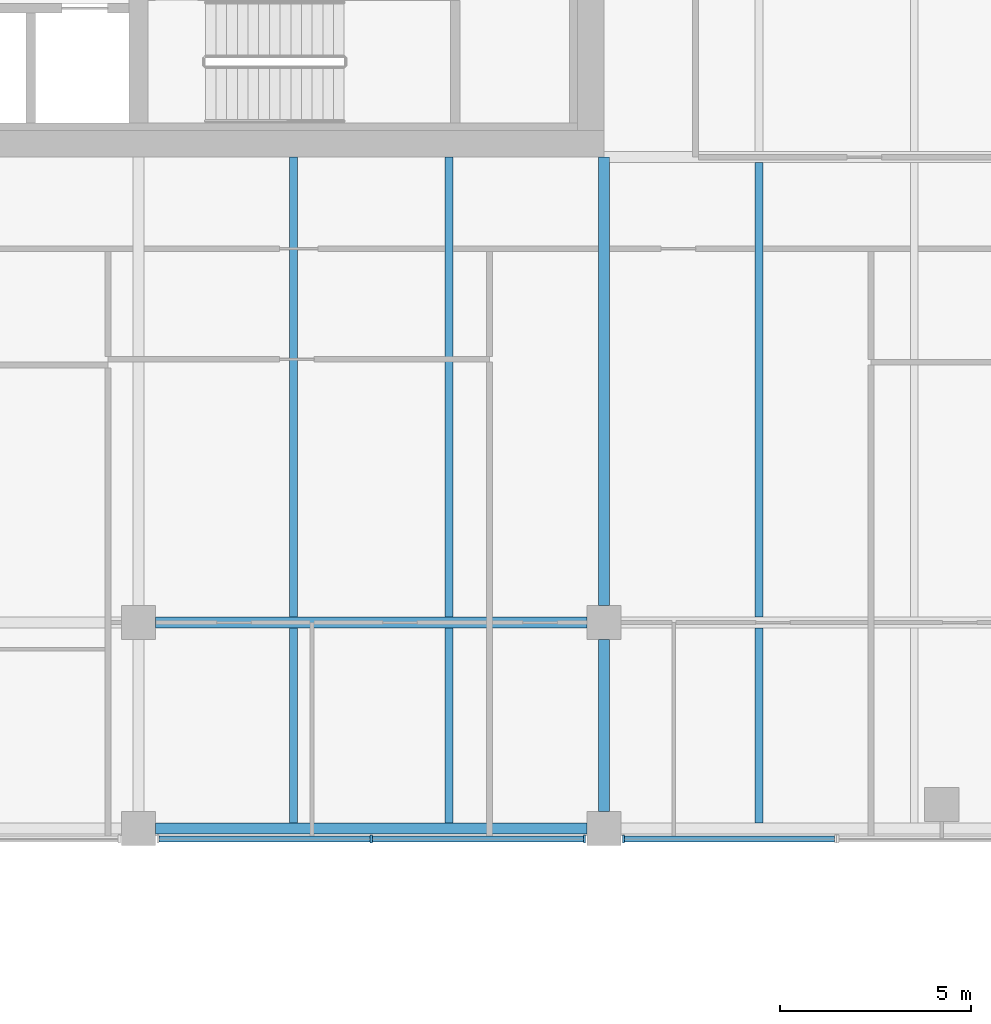
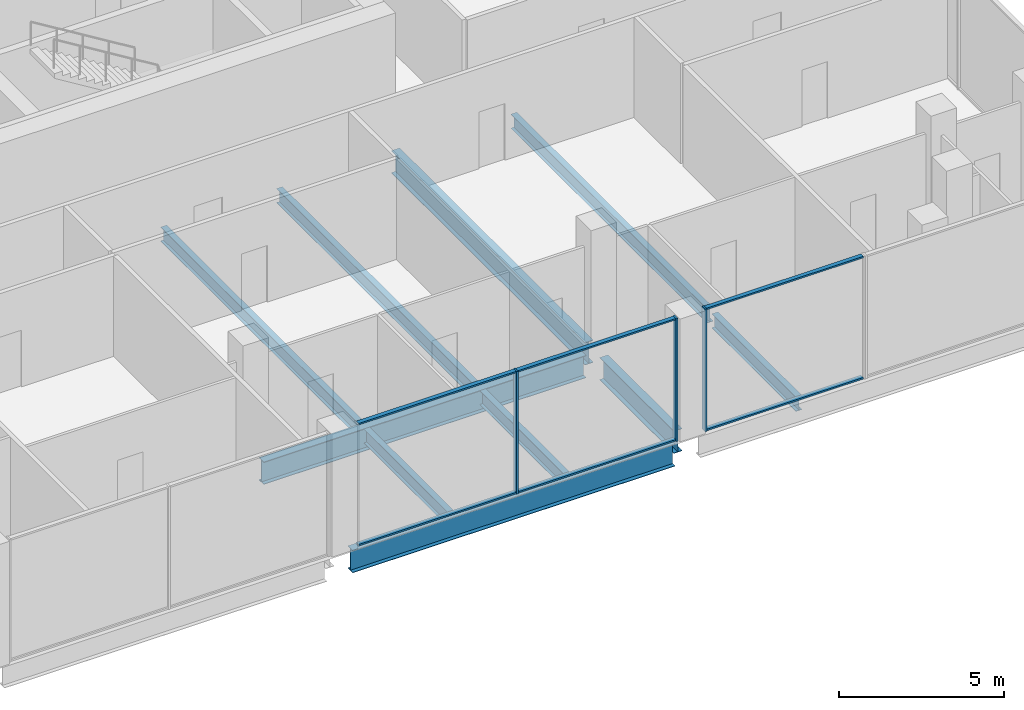
# One storey, part 9 of 33: 10 beams, 9 members, 2 elements without a shape of their own.
"""IFC4 building model written with IfcOpenShell, lengths in metres."""

from ifc_helpers import new_model, si_unit, direction, frame, origin, origin_2d, place, context, subcontext, project, spatial, rectangle, i_section, extrude, material, material_profile, profile_set, type_object, element, aggregate, save


model = new_model("IFC4")

# Units and contexts
model_context = context("Model", 3, precision=1e-05, world=origin(), true_north=direction((0.0, 1.0)))
body_context = subcontext(model_context, "Body", "Model", "MODEL_VIEW")
ifc_project = project(units=[si_unit("LENGTHUNIT", "METRE"), si_unit("AREAUNIT", "SQUARE_METRE"), si_unit("VOLUMEUNIT", "CUBIC_METRE"), si_unit("PLANEANGLEUNIT", "RADIAN"), si_unit("MASSUNIT", "GRAM", prefix="KILO")], contexts=[model_context])

# Site, building, storey
site_placement = place(None, origin())
site = spatial("IfcSite", under=ifc_project, at=site_placement, CompositionType="ELEMENT")
building_placement = place(site_placement, origin())
building = spatial("IfcBuilding", under=site, at=building_placement, Name="Tessera Gate Towers", CompositionType="ELEMENT")
storey_placement = place(building_placement, frame((0.0, 0.0, 7.199951171875)))
storey = spatial("IfcBuildingStorey", under=building, at=storey_placement, Name="L01", CompositionType="ELEMENT", Elevation=7.199951171875)

# Beams
ifc_material_1 = material(Name="Steel 350W", Category="steel")
ifc_material_profile_1 = material_profile(ifc_material_1, i_section(OverallWidth=0.2919921875, OverallDepth=0.8349609375, WebThickness=0.013916015625, FlangeThickness=0.018798828125, at=origin_2d()), Name="W840x176")
ifc_profile_set_1 = profile_set([ifc_material_profile_1], Name="Steel 350W")
beam_type_1 = type_object("IfcBeamType", Name="FLOOR GIRDER W840x176", PredefinedType="BEAM", material=ifc_profile_set_1)
for number, where, z_axis, x_axis, name in (
    (1, (110.25, 19.0, -0.66748046875), (1.0, 0.0, 0.0), (0.0, 1.0, 0.0), "PD-GD-L01-193"),
    (2, (110.25, 24.39990234375, -0.66748046875), (1.0, 0.0, 0.0), (0.0, 1.0, 0.0), "PD-GD-L01-210"),
):
    element("IfcBeam", number, at=place(storey_placement, frame(where, z_axis=z_axis, x_axis=x_axis)), inside=storey, type_object=beam_type_1, Name=name, PredefinedType="BEAM", context=body_context, shape_type="SweptSolid", body=[
        extrude(i_section(OverallWidth=0.2919921875, OverallDepth=0.8349609375, WebThickness=0.013916015625, FlangeThickness=0.018798828125, at=origin_2d()), origin(), (0.0, 0.0, 1.0), 11.300048828125),
    ])
beam_1_placement = place(storey_placement, frame((122.0, 19.449951171875, -0.66748046875), z_axis=(0.0, 1.0, 0.0), x_axis=(-1.0, 0.0, 0.0)))
element("IfcBeam", 3, at=beam_1_placement, inside=storey, type_object=beam_type_1, Name="PD-GD-L01-255", PredefinedType="BEAM", context=body_context, shape_type="SweptSolid", body=[
    extrude(i_section(OverallWidth=0.2919921875, OverallDepth=0.8349609375, WebThickness=0.013916015625, FlangeThickness=0.018798828125, at=origin_2d()), origin(), (0.0, 0.0, 1.0), 4.5),
])
beam_2_placement = place(storey_placement, frame((122.0, 24.85009765625, -0.66748046875), z_axis=(0.0, 1.0, 0.0), x_axis=(-1.0, 0.0, 0.0)))
element("IfcBeam", 4, at=beam_2_placement, inside=storey, type_object=beam_type_1, Name="PD-GD-L01-256", PredefinedType="BEAM", context=body_context, shape_type="SweptSolid", body=[
    extrude(i_section(OverallWidth=0.2919921875, OverallDepth=0.8349609375, WebThickness=0.013916015625, FlangeThickness=0.018798828125, at=origin_2d()), origin(), (0.0, 0.0, 1.0), 11.75),
])
ifc_material_2 = material(Name="Steel 350W", Category="steel")
ifc_material_profile_2 = material_profile(ifc_material_2, i_section(OverallWidth=0.208984375, OverallDepth=0.528076171875, WebThickness=0.009521484375, FlangeThickness=0.01318359375, at=origin_2d()), Name="W530x82")
ifc_profile_set_2 = profile_set([ifc_material_profile_2], Name="Steel 350W")
beam_type_2 = type_object("IfcBeamType", Name="FLOOR SECONDARY W530x82", PredefinedType="BEAM", material=ifc_profile_set_2)
beam_3_placement = place(storey_placement, frame((113.86669921875, 19.14599609375, -0.513916015625), z_axis=(0.0, 1.0, 0.0), x_axis=(-1.0, 0.0, 0.0)))
element("IfcBeam", 5, at=beam_3_placement, inside=storey, type_object=beam_type_2, Name="PD-BM-L01-338", PredefinedType="BEAM", context=body_context, shape_type="SweptSolid", body=[
    extrude(i_section(OverallWidth=0.208984375, OverallDepth=0.528076171875, WebThickness=0.009521484375, FlangeThickness=0.01318359375, at=origin_2d()), origin(), (0.0, 0.0, 1.0), 5.10791015625),
])
beam_4_placement = place(storey_placement, frame((113.86669921875, 24.5458984375, -0.513916015625), z_axis=(0.0, 1.0, 0.0), x_axis=(-1.0, 0.0, 0.0)))
element("IfcBeam", 6, at=beam_4_placement, inside=storey, type_object=beam_type_2, Name="PD-BM-L01-339", PredefinedType="BEAM", context=body_context, shape_type="SweptSolid", body=[
    extrude(i_section(OverallWidth=0.208984375, OverallDepth=0.528076171875, WebThickness=0.009521484375, FlangeThickness=0.01318359375, at=origin_2d()), origin(), (0.0, 0.0, 1.0), 12.05419921875),
])
beam_5_placement = place(storey_placement, frame((117.933349609375, 19.14599609375, -0.513916015625), z_axis=(0.0, 1.0, 0.0), x_axis=(-1.0, 0.0, 0.0)))
element("IfcBeam", 7, at=beam_5_placement, inside=storey, type_object=beam_type_2, Name="PD-BM-L01-341", PredefinedType="BEAM", context=body_context, shape_type="SweptSolid", body=[
    extrude(i_section(OverallWidth=0.208984375, OverallDepth=0.528076171875, WebThickness=0.009521484375, FlangeThickness=0.01318359375, at=origin_2d()), origin(), (0.0, 0.0, 1.0), 5.10791015625),
])
beam_6_placement = place(storey_placement, frame((117.933349609375, 24.5458984375, -0.513916015625), z_axis=(0.0, 1.0, 0.0), x_axis=(-1.0, 0.0, 0.0)))
element("IfcBeam", 8, at=beam_6_placement, inside=storey, type_object=beam_type_2, Name="PD-BM-L01-342", PredefinedType="BEAM", context=body_context, shape_type="SweptSolid", body=[
    extrude(i_section(OverallWidth=0.208984375, OverallDepth=0.528076171875, WebThickness=0.009521484375, FlangeThickness=0.01318359375, at=origin_2d()), origin(), (0.0, 0.0, 1.0), 12.05419921875),
])
beam_7_placement = place(storey_placement, frame((126.066650390625, 19.14599609375, -0.513916015625), z_axis=(0.0, 1.0, 0.0), x_axis=(-1.0, 0.0, 0.0)))
element("IfcBeam", 9, at=beam_7_placement, inside=storey, type_object=beam_type_2, Name="PD-BM-L01-345", PredefinedType="BEAM", context=body_context, shape_type="SweptSolid", body=[
    extrude(i_section(OverallWidth=0.208984375, OverallDepth=0.528076171875, WebThickness=0.009521484375, FlangeThickness=0.01318359375, at=origin_2d()), origin(), (0.0, 0.0, 1.0), 5.10791015625),
])
beam_8_placement = place(storey_placement, frame((126.066650390625, 24.5458984375, -0.513916015625), z_axis=(0.0, 1.0, 0.0), x_axis=(-1.0, 0.0, 0.0)))
element("IfcBeam", 10, at=beam_8_placement, inside=storey, type_object=beam_type_2, Name="PD-BM-L01-346", PredefinedType="BEAM", context=body_context, shape_type="SweptSolid", body=[
    extrude(i_section(OverallWidth=0.208984375, OverallDepth=0.528076171875, WebThickness=0.009521484375, FlangeThickness=0.01318359375, at=origin_2d()), origin(), (0.0, 0.0, 1.0), 11.908203125),
])

# Curtain wall, members
ifc_material_3 = material(Name="Aluminium frame", Category="aluminium")
curtain_wall_type = type_object("IfcCurtainWallType", Name="CW-S1 podium storefront", PredefinedType="NOTDEFINED", material=ifc_material_3)
curtain_wall_1_placement = place(storey_placement, origin())
curtain_wall_1 = element("IfcCurtainWall", 11, at=curtain_wall_1_placement, inside=storey, type_object=curtain_wall_type, Name="Curtain wall podium storefront 0163", PredefinedType="NOTDEFINED")
ifc_material_4 = material(Name="Aluminium frame", Category="aluminium")
ifc_material_profile_3 = material_profile(ifc_material_4, rectangle(XDim=0.06005859375, YDim=0.199951171875, at=origin_2d()), Name="AL 60x200")
ifc_profile_set_3 = profile_set([ifc_material_profile_3], Name="Aluminium frame")
member_type_1 = type_object("IfcMemberType", Name="MU-S1 mullion 60x200", PredefinedType="MULLION", material=ifc_profile_set_3)
member_1_placement = place(storey_placement, frame((115.89990234375, 18.72509765625, 0.0), z_axis=(0.0, 0.0, 1.0), x_axis=(1.0, 0.0, 0.0)))
member_1 = element("IfcMember", 12, at=member_1_placement, type_object=member_type_1, Name="PD-CW1-0163 mullion 2", PredefinedType="MULLION", context=body_context, shape_type="SweptSolid", body=[
    extrude(rectangle(XDim=0.06005859375, YDim=0.199951171875, at=origin_2d()), origin(), (0.0, 0.0, 1.0), 4.550048828125),
])
member_2_placement = place(storey_placement, frame((121.489990234375, 18.72509765625, 0.0), z_axis=(0.0, 0.0, 1.0), x_axis=(1.0, 0.0, 0.0)))
member_2 = element("IfcMember", 13, at=member_2_placement, type_object=member_type_1, Name="PD-CW1-0163 mullion 3", PredefinedType="MULLION", context=body_context, shape_type="SweptSolid", body=[
    extrude(rectangle(XDim=0.06005859375, YDim=0.199951171875, at=origin_2d()), origin(), (0.0, 0.0, 1.0), 4.550048828125),
])

# Curtain wall, member
curtain_wall_2_placement = place(storey_placement, origin())
curtain_wall_2 = element("IfcCurtainWall", 14, at=curtain_wall_2_placement, inside=storey, type_object=curtain_wall_type, Name="Curtain wall podium storefront 0164", PredefinedType="NOTDEFINED")
member_3_placement = place(storey_placement, frame((122.510009765625, 18.72509765625, 0.0), z_axis=(0.0, 0.0, 1.0), x_axis=(1.0, 0.0, 0.0)))
member_3 = element("IfcMember", 15, at=member_3_placement, type_object=member_type_1, Name="PD-CW1-0164 mullion 1", PredefinedType="MULLION", context=body_context, shape_type="SweptSolid", body=[
    extrude(rectangle(XDim=0.06005859375, YDim=0.199951171875, at=origin_2d()), origin(), (0.0, 0.0, 1.0), 4.550048828125),
])

# Member
ifc_material_5 = material(Name="Aluminium frame", Category="aluminium")
ifc_material_profile_4 = material_profile(ifc_material_5, rectangle(XDim=0.14990234375, YDim=0.06005859375, at=origin_2d()), Name="AL 60x150")
ifc_profile_set_4 = profile_set([ifc_material_profile_4], Name="Aluminium frame")
member_type_2 = type_object("IfcMemberType", Name="TR-S1 transom 60x150", PredefinedType="USERDEFINED", material=ifc_profile_set_4)
member_4_placement = place(storey_placement, frame((110.340087890625, 18.72509765625, 0.030029296875), z_axis=(1.0, 0.0, 0.0), x_axis=(0.0, 1.0, 0.0)))
member_4 = element("IfcMember", 16, at=member_4_placement, type_object=member_type_2, Name="PD-CW1-0163 transom 1.1", ObjectType="TRANSOM", PredefinedType="USERDEFINED", context=body_context, shape_type="SweptSolid", body=[
    extrude(rectangle(XDim=0.14990234375, YDim=0.06005859375, at=origin_2d()), origin(), (0.0, 0.0, 1.0), 5.530029296875),
])

member_5_placement = place(storey_placement, frame((110.340087890625, 18.72509765625, 4.52001953125), z_axis=(1.0, 0.0, 0.0), x_axis=(0.0, 1.0, 0.0)))
member_5 = element("IfcMember", 17, at=member_5_placement, type_object=member_type_2, Name="PD-CW1-0163 transom 1.2", ObjectType="TRANSOM", PredefinedType="USERDEFINED", context=body_context, shape_type="SweptSolid", body=[
    extrude(rectangle(XDim=0.14990234375, YDim=0.06005859375, at=origin_2d()), origin(), (0.0, 0.0, 1.0), 5.530029296875),
])

member_6_placement = place(storey_placement, frame((115.929931640625, 18.72509765625, 0.030029296875), z_axis=(1.0, 0.0, 0.0), x_axis=(0.0, 1.0, 0.0)))
member_6 = element("IfcMember", 18, at=member_6_placement, type_object=member_type_2, Name="PD-CW1-0163 transom 2.1", ObjectType="TRANSOM", PredefinedType="USERDEFINED", context=body_context, shape_type="SweptSolid", body=[
    extrude(rectangle(XDim=0.14990234375, YDim=0.06005859375, at=origin_2d()), origin(), (0.0, 0.0, 1.0), 5.530029296875),
])

member_7_placement = place(storey_placement, frame((115.929931640625, 18.72509765625, 4.52001953125), z_axis=(1.0, 0.0, 0.0), x_axis=(0.0, 1.0, 0.0)))
member_7 = element("IfcMember", 19, at=member_7_placement, type_object=member_type_2, Name="PD-CW1-0163 transom 2.2", ObjectType="TRANSOM", PredefinedType="USERDEFINED", context=body_context, shape_type="SweptSolid", body=[
    extrude(rectangle(XDim=0.14990234375, YDim=0.06005859375, at=origin_2d()), origin(), (0.0, 0.0, 1.0), 5.530029296875),
])

aggregate(curtain_wall_1, [member_1, member_2, member_4, member_5, member_6, member_7])

member_8_placement = place(storey_placement, frame((122.5400390625, 18.72509765625, 0.030029296875), z_axis=(1.0, 0.0, 0.0), x_axis=(0.0, 1.0, 0.0)))
member_8 = element("IfcMember", 20, at=member_8_placement, type_object=member_type_2, Name="PD-CW1-0164 transom 1.1", ObjectType="TRANSOM", PredefinedType="USERDEFINED", context=body_context, shape_type="SweptSolid", body=[
    extrude(rectangle(XDim=0.14990234375, YDim=0.06005859375, at=origin_2d()), origin(), (0.0, 0.0, 1.0), 5.5),
])

member_9_placement = place(storey_placement, frame((122.5400390625, 18.72509765625, 4.52001953125), z_axis=(1.0, 0.0, 0.0), x_axis=(0.0, 1.0, 0.0)))
member_9 = element("IfcMember", 21, at=member_9_placement, type_object=member_type_2, Name="PD-CW1-0164 transom 1.2", ObjectType="TRANSOM", PredefinedType="USERDEFINED", context=body_context, shape_type="SweptSolid", body=[
    extrude(rectangle(XDim=0.14990234375, YDim=0.06005859375, at=origin_2d()), origin(), (0.0, 0.0, 1.0), 5.5),
])

aggregate(curtain_wall_2, [member_3, member_8, member_9])

save(model, "model.ifc")
